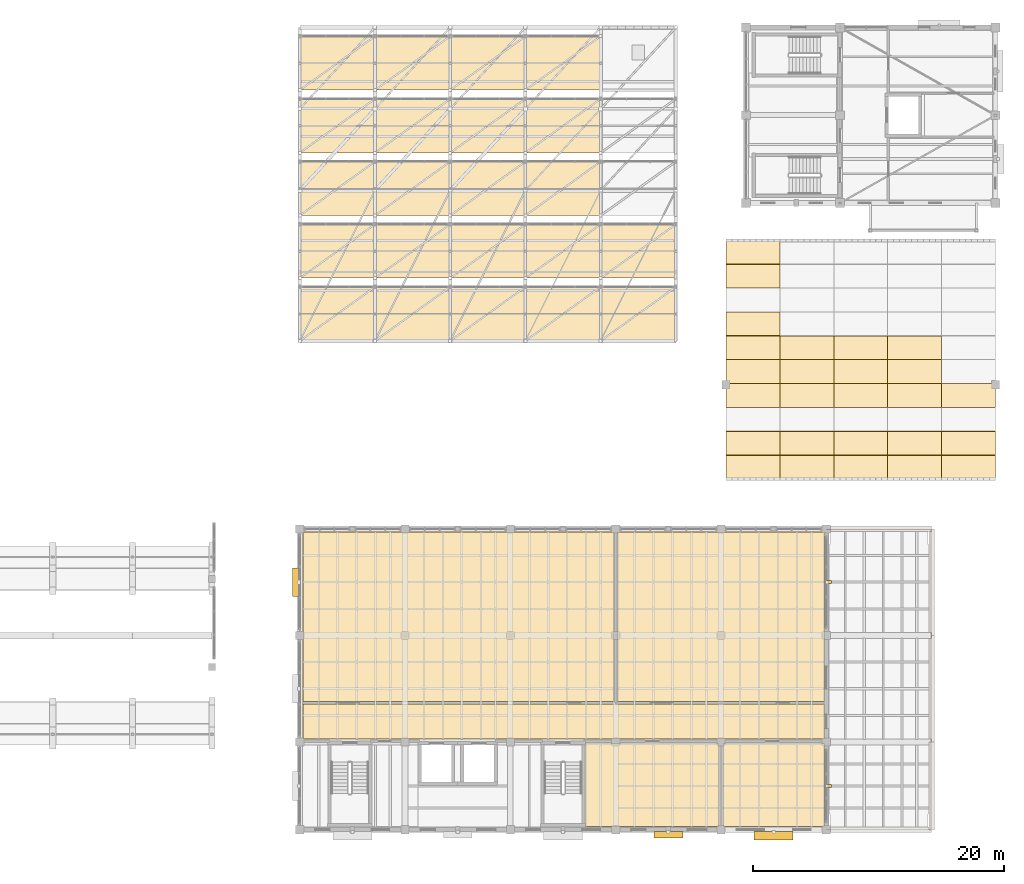
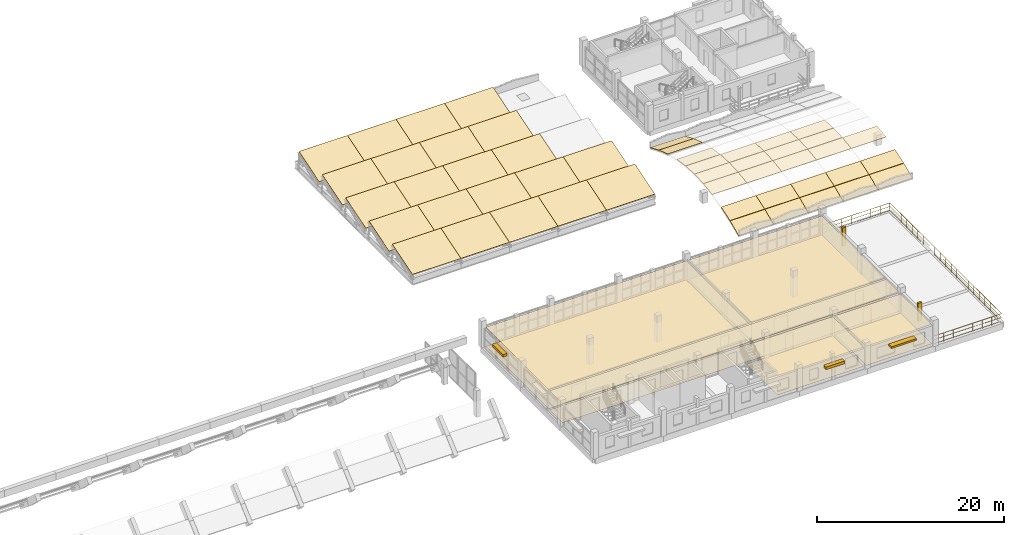
# One storey, part 46 of 48: 58 coverings, 5 shading devices, 1 railing.
"""IFC4 building model written with IfcOpenShell, lengths in metres."""

from ifc_helpers import new_model, si_unit, direction, frame, origin, origin_2d, place, context, subcontext, project, spatial, polyline, rectangle, circle, outline, extrude, material, layer, layer_set, type_object, element, save


model = new_model("IFC4")

# Units and contexts
model_context = context("Model", 3, precision=1e-05, world=origin(), true_north=direction((0.0, 1.0)))
body_context = subcontext(model_context, "Body", "Model", "MODEL_VIEW")
ifc_project = project(units=[si_unit("LENGTHUNIT", "METRE"), si_unit("AREAUNIT", "SQUARE_METRE"), si_unit("VOLUMEUNIT", "CUBIC_METRE"), si_unit("PLANEANGLEUNIT", "RADIAN"), si_unit("MASSUNIT", "GRAM", prefix="KILO")], contexts=[model_context])

# Site, building, storey
site_placement = place(None, origin())
site = spatial("IfcSite", under=ifc_project, at=site_placement, CompositionType="ELEMENT")
building_placement = place(site_placement, origin())
building = spatial("IfcBuilding", under=site, at=building_placement, Name="Trellovar Central Fire Station", CompositionType="ELEMENT")
storey_placement = place(building_placement, frame((0.0, 0.0, 9.300048828125)))
storey = spatial("IfcBuildingStorey", under=building, at=storey_placement, Name="L03", CompositionType="ELEMENT", Elevation=9.300048828125)

# Coverings
ifc_material_1 = material(Name="Perforated acoustic mineral fiber ceiling tile", Category="mineral")
ifc_layer_1 = layer(ifc_material_1, 0.02490234375)
ifc_layer_set_1 = layer_set([ifc_layer_1], Name="Perforated acoustic mineral fiber ceiling tile")
covering_type_1 = type_object("IfcCoveringType", Name="COV-CLG1", PredefinedType="CEILING", material=ifc_layer_set_1)
covering_1_placement = place(storey_placement, frame((0.0, 0.0, 2.47998046875)))
element("IfcCovering", 1, at=covering_1_placement, inside=storey, type_object=covering_type_1, Name="EOC Secure Corridor suspended ceiling", PredefinedType="CEILING", context=body_context, shape_type="SweptSolid", body=[
    extrude(outline(polyline([(147.35009765625, 19.050048828125), (147.35009765625, 16.25), (105.75, 16.25), (105.75, 19.050048828125), (147.35009765625, 19.050048828125)])), origin(), (0.0, 0.0, 1.0), 0.02490234375),
])
covering_2_placement = place(storey_placement, frame((0.0, 0.0, 2.47998046875)))
element("IfcCovering", 2, at=covering_2_placement, inside=storey, type_object=covering_type_1, Name="Emergency Operations Control Room suspended ceiling", PredefinedType="CEILING", context=body_context, shape_type="SweptSolid", body=[
    extrude(outline(polyline([(130.550048828125, 32.75), (130.550048828125, 19.25), (105.75, 19.25), (105.75, 32.75), (130.550048828125, 32.75)])), origin(), (0.0, 0.0, 1.0), 0.02490234375),
])
covering_3_placement = place(storey_placement, frame((0.0, 0.0, 2.47998046875)))
element("IfcCovering", 3, at=covering_3_placement, inside=storey, type_object=covering_type_1, Name="911 CAD Dispatch Operations Floor suspended ceiling", PredefinedType="CEILING", context=body_context, shape_type="SweptSolid", body=[
    extrude(outline(polyline([(147.35009765625, 32.75), (147.35009765625, 19.25), (130.85009765625, 19.25), (130.85009765625, 32.75), (147.35009765625, 32.75)])), origin(), (0.0, 0.0, 1.0), 0.02490234375),
])
covering_4_placement = place(storey_placement, frame((0.0, 0.0, 2.47998046875)))
element("IfcCovering", 4, at=covering_4_placement, inside=storey, type_object=covering_type_1, Name="Incident Policy Situation Room suspended ceiling", PredefinedType="CEILING", context=body_context, shape_type="SweptSolid", body=[
    extrude(outline(polyline([(138.949951171875, 15.89990234375), (138.949951171875, 9.25), (128.25, 9.25), (128.25, 15.89990234375), (138.949951171875, 15.89990234375)])), origin(), (0.0, 0.0, 1.0), 0.02490234375),
])
ifc_material_2 = material(Name="Moisture-resistant gypsum ceiling board", Category="gypsum")
ifc_layer_2 = layer(ifc_material_2, 0.030029296875)
ifc_layer_set_2 = layer_set([ifc_layer_2], Name="Moisture-resistant gypsum ceiling board")
covering_type_2 = type_object("IfcCoveringType", Name="COV-CLG2", PredefinedType="CEILING", material=ifc_layer_set_2)
covering_5_placement = place(storey_placement, frame((0.0, 0.0, 2.47998046875)))
element("IfcCovering", 5, at=covering_5_placement, inside=storey, type_object=covering_type_2, Name="Dispatch Break Pantry and Restroom suspended ceiling", PredefinedType="CEILING", context=body_context, shape_type="SweptSolid", body=[
    extrude(outline(polyline([(147.35009765625, 15.89990234375), (147.35009765625, 9.25), (139.25, 9.25), (139.25, 15.89990234375), (147.35009765625, 15.89990234375)])), origin(), (0.0, 0.0, 1.0), 0.030029296875),
])
ifc_material_3 = material(Name="Vitrified Catalan ceramic floor tile", Category="masonry")
ifc_layer_3 = layer(ifc_material_3, 0.01806640625)
ifc_layer_set_3 = layer_set([ifc_layer_3], Name="Vitrified Catalan ceramic floor tile")
covering_type_3 = type_object("IfcCoveringType", Name="COV-FLR2", PredefinedType="FLOORING", material=ifc_layer_set_3)
covering_6_placement = place(storey_placement, origin())
element("IfcCovering", 6, at=covering_6_placement, inside=storey, type_object=covering_type_3, Name="EOC Secure Corridor floor finish", PredefinedType="FLOORING", context=body_context, shape_type="SweptSolid", body=[
    extrude(outline(polyline([(147.35009765625, 19.050048828125), (147.35009765625, 16.25), (105.75, 16.25), (105.75, 19.050048828125), (147.35009765625, 19.050048828125)])), origin(), (0.0, 0.0, 1.0), 0.01806640625),
])
covering_7_placement = place(storey_placement, origin())
element("IfcCovering", 7, at=covering_7_placement, inside=storey, type_object=covering_type_3, Name="Emergency Operations Control Room floor finish", PredefinedType="FLOORING", context=body_context, shape_type="SweptSolid", body=[
    extrude(outline(polyline([(130.550048828125, 32.75), (130.550048828125, 19.25), (105.75, 19.25), (105.75, 32.75), (130.550048828125, 32.75)])), origin(), (0.0, 0.0, 1.0), 0.01806640625),
])
covering_8_placement = place(storey_placement, origin())
element("IfcCovering", 8, at=covering_8_placement, inside=storey, type_object=covering_type_3, Name="911 CAD Dispatch Operations Floor floor finish", PredefinedType="FLOORING", context=body_context, shape_type="SweptSolid", body=[
    extrude(outline(polyline([(147.35009765625, 32.75), (147.35009765625, 19.25), (130.85009765625, 19.25), (130.85009765625, 32.75), (147.35009765625, 32.75)])), origin(), (0.0, 0.0, 1.0), 0.01806640625),
])
covering_9_placement = place(storey_placement, origin())
element("IfcCovering", 9, at=covering_9_placement, inside=storey, type_object=covering_type_3, Name="Incident Policy Situation Room floor finish", PredefinedType="FLOORING", context=body_context, shape_type="SweptSolid", body=[
    extrude(outline(polyline([(138.949951171875, 15.89990234375), (138.949951171875, 9.25), (128.25, 9.25), (128.25, 15.89990234375), (138.949951171875, 15.89990234375)])), origin(), (0.0, 0.0, 1.0), 0.01806640625),
])
covering_10_placement = place(storey_placement, origin())
element("IfcCovering", 10, at=covering_10_placement, inside=storey, type_object=covering_type_3, Name="Dispatch Break Pantry and Restroom floor finish", PredefinedType="FLOORING", context=body_context, shape_type="SweptSolid", body=[
    extrude(outline(polyline([(147.35009765625, 15.89990234375), (147.35009765625, 9.25), (139.25, 9.25), (139.25, 15.89990234375), (147.35009765625, 15.89990234375)])), origin(), (0.0, 0.0, 1.0), 0.01806640625),
])
ifc_material_4 = material(Name="Glazed ceramic trencadis roofing", Category="masonry")
ifc_layer_4 = layer(ifc_material_4, 0.06005859375)
ifc_layer_set_4 = layer_set([ifc_layer_4], Name="Glazed ceramic trencadis roofing")
covering_type_4 = type_object("IfcCoveringType", Name="COV-RF1", PredefinedType="ROOFING", material=ifc_layer_set_4)
covering_11_placement = place(storey_placement, frame((139.5, 37.001953125, 0.060791015625), z_axis=(0.0, -0.399539052754, 0.916716174901), x_axis=(1.0, 0.0, 0.0)))
element("IfcCovering", 11, at=covering_11_placement, inside=storey, type_object=covering_type_4, Name="V3 trencadis barrel vault covering 01-01", PredefinedType="ROOFING", context=body_context, shape_type="SweptSolid", body=[
    extrude(outline(polyline([(0.0, 0.0), (4.300048828125, 0.0), (4.300048828125, 2.0421482283793635), (0.0, 2.0421482283793635), (0.0, 0.0)])), origin(), (0.0, 0.0, -1.0), 0.06005859375),
])
covering_12_placement = place(storey_placement, frame((139.5, 38.902099609375, 0.888671875), z_axis=(0.0, -0.320954993528, 0.947094447312), x_axis=(1.0, 0.0, 0.0)))
element("IfcCovering", 12, at=covering_12_placement, inside=storey, type_object=covering_type_4, Name="V3 trencadis barrel vault covering 01-02", PredefinedType="ROOFING", context=body_context, shape_type="SweptSolid", body=[
    extrude(outline(polyline([(0.0, 0.0), (4.300048828125, 0.0), (4.300048828125, 1.9815436461495783), (0.0, 1.9815436461495783), (0.0, 0.0)])), origin(), (0.0, 0.0, -1.0), 0.06005859375),
])
covering_13_placement = place(storey_placement, frame((139.5, 42.701904296875, 1.9921875), z_axis=(0.0, -0.143750672762, 0.989613936887), x_axis=(1.0, 0.0, 0.0)))
element("IfcCovering", 13, at=covering_13_placement, inside=storey, type_object=covering_type_4, Name="V3 trencadis barrel vault covering 01-04", PredefinedType="ROOFING", context=body_context, shape_type="SweptSolid", body=[
    extrude(outline(polyline([(0.0, 0.0), (4.300048828125, 0.0), (4.300048828125, 1.907260095601346), (0.0, 1.907260095601346), (0.0, 0.0)])), origin(), (0.0, 0.0, -1.0), 0.06005859375),
])
for number, where, z_axis, x_axis, name in (
    (14, (139.5, 44.60205078125, 2.26806640625), (0.0, -0.04843419104, 0.998826375872), (1.0, 0.0, 0.0), "V3 trencadis barrel vault covering 01-05"),
    (15, (139.5, 46.5048828125, 2.35986328125), (0.0, 0.04843419104, 0.998826375872), (1.0, 0.0, 0.0), "V3 trencadis barrel vault covering 01-06"),
):
    element("IfcCovering", number, at=place(storey_placement, frame(where, z_axis=z_axis, x_axis=x_axis)), inside=storey, type_object=covering_type_4, Name=name, PredefinedType="ROOFING", context=body_context, shape_type="SweptSolid", body=[
        extrude(outline(polyline([(0.0, 0.0), (4.300048828125, 0.0), (4.300048828125, 1.8952907652210136), (0.0, 1.8952907652210136), (0.0, 0.0)])), origin(), (0.0, 0.0, -1.0), 0.06005859375),
    ])
covering_14_placement = place(storey_placement, frame((139.5, 48.41064453125, 2.266357421875), z_axis=(0.0, 0.143750672762, 0.989613936887), x_axis=(1.0, 0.0, 0.0)))
element("IfcCovering", 16, at=covering_14_placement, inside=storey, type_object=covering_type_4, Name="V3 trencadis barrel vault covering 01-07", PredefinedType="ROOFING", context=body_context, shape_type="SweptSolid", body=[
    extrude(outline(polyline([(0.0, 0.0), (4.300048828125, 0.0), (4.300048828125, 1.907260095601346), (0.0, 1.907260095601346), (0.0, 0.0)])), origin(), (0.0, 0.0, -1.0), 0.06005859375),
])
covering_15_placement = place(storey_placement, frame((139.5, 52.22119140625, 1.524658203125), z_axis=(0.0, 0.320954993528, 0.947094447312), x_axis=(1.0, 0.0, 0.0)))
element("IfcCovering", 17, at=covering_15_placement, inside=storey, type_object=covering_type_4, Name="V3 trencadis barrel vault covering 01-09", PredefinedType="ROOFING", context=body_context, shape_type="SweptSolid", body=[
    extrude(outline(polyline([(0.0, 0.0), (4.300048828125, 0.0), (4.300048828125, 1.9815436461495783), (0.0, 1.9815436461495783), (0.0, 0.0)])), origin(), (0.0, 0.0, -1.0), 0.06005859375),
])
for number, where, z_axis, x_axis, name in (
    (18, (139.5, 54.1259765625, 0.876708984375), (0.0, 0.399539052754, 0.916716174901), (1.0, 0.0, 0.0), "V3 trencadis barrel vault covering 01-10"),
    (19, (143.800048828125, 37.001953125, 0.060791015625), (0.0, -0.399539052754, 0.916716174901), (1.0, 0.0, 0.0), "V3 trencadis barrel vault covering 02-01"),
):
    element("IfcCovering", number, at=place(storey_placement, frame(where, z_axis=z_axis, x_axis=x_axis)), inside=storey, type_object=covering_type_4, Name=name, PredefinedType="ROOFING", context=body_context, shape_type="SweptSolid", body=[
        extrude(outline(polyline([(0.0, 0.0), (4.300048828125, 0.0), (4.300048828125, 2.0421482283793635), (0.0, 2.0421482283793635), (0.0, 0.0)])), origin(), (0.0, 0.0, -1.0), 0.06005859375),
    ])
covering_16_placement = place(storey_placement, frame((143.800048828125, 38.902099609375, 0.888671875), z_axis=(0.0, -0.320954993528, 0.947094447312), x_axis=(1.0, 0.0, 0.0)))
element("IfcCovering", 20, at=covering_16_placement, inside=storey, type_object=covering_type_4, Name="V3 trencadis barrel vault covering 02-02", PredefinedType="ROOFING", context=body_context, shape_type="SweptSolid", body=[
    extrude(outline(polyline([(0.0, 0.0), (4.300048828125, 0.0), (4.300048828125, 1.9815436461495783), (0.0, 1.9815436461495783), (0.0, 0.0)])), origin(), (0.0, 0.0, -1.0), 0.06005859375),
])
covering_17_placement = place(storey_placement, frame((143.800048828125, 42.701904296875, 1.9921875), z_axis=(0.0, -0.143750672762, 0.989613936887), x_axis=(1.0, 0.0, 0.0)))
element("IfcCovering", 21, at=covering_17_placement, inside=storey, type_object=covering_type_4, Name="V3 trencadis barrel vault covering 02-04", PredefinedType="ROOFING", context=body_context, shape_type="SweptSolid", body=[
    extrude(outline(polyline([(0.0, 0.0), (4.300048828125, 0.0), (4.300048828125, 1.907260095601346), (0.0, 1.907260095601346), (0.0, 0.0)])), origin(), (0.0, 0.0, -1.0), 0.06005859375),
])
for number, where, z_axis, x_axis, name in (
    (22, (143.800048828125, 44.60205078125, 2.26806640625), (0.0, -0.04843419104, 0.998826375872), (1.0, 0.0, 0.0), "V3 trencadis barrel vault covering 02-05"),
    (23, (143.800048828125, 46.5048828125, 2.35986328125), (0.0, 0.04843419104, 0.998826375872), (1.0, 0.0, 0.0), "V3 trencadis barrel vault covering 02-06"),
):
    element("IfcCovering", number, at=place(storey_placement, frame(where, z_axis=z_axis, x_axis=x_axis)), inside=storey, type_object=covering_type_4, Name=name, PredefinedType="ROOFING", context=body_context, shape_type="SweptSolid", body=[
        extrude(outline(polyline([(0.0, 0.0), (4.300048828125, 0.0), (4.300048828125, 1.8952907652210136), (0.0, 1.8952907652210136), (0.0, 0.0)])), origin(), (0.0, 0.0, -1.0), 0.06005859375),
    ])
covering_18_placement = place(storey_placement, frame((148.10009765625, 37.001953125, 0.060791015625), z_axis=(0.0, -0.399539052754, 0.916716174901), x_axis=(1.0, 0.0, 0.0)))
element("IfcCovering", 24, at=covering_18_placement, inside=storey, type_object=covering_type_4, Name="V3 trencadis barrel vault covering 03-01", PredefinedType="ROOFING", context=body_context, shape_type="SweptSolid", body=[
    extrude(outline(polyline([(0.0, 0.0), (4.2998046875, 0.0), (4.2998046875, 2.0421482283793635), (0.0, 2.0421482283793635), (0.0, 0.0)])), origin(), (0.0, 0.0, -1.0), 0.06005859375),
])
covering_19_placement = place(storey_placement, frame((148.10009765625, 38.902099609375, 0.888671875), z_axis=(0.0, -0.320954993528, 0.947094447312), x_axis=(1.0, 0.0, 0.0)))
element("IfcCovering", 25, at=covering_19_placement, inside=storey, type_object=covering_type_4, Name="V3 trencadis barrel vault covering 03-02", PredefinedType="ROOFING", context=body_context, shape_type="SweptSolid", body=[
    extrude(outline(polyline([(0.0, 0.0), (4.2998046875, 0.0), (4.2998046875, 1.981543646149578), (0.0, 1.981543646149578), (0.0, 0.0)])), origin(), (0.0, 0.0, -1.0), 0.06005859375),
])
covering_20_placement = place(storey_placement, frame((148.10009765625, 42.701904296875, 1.9921875), z_axis=(0.0, -0.143750672762, 0.989613936887), x_axis=(1.0, 0.0, 0.0)))
element("IfcCovering", 26, at=covering_20_placement, inside=storey, type_object=covering_type_4, Name="V3 trencadis barrel vault covering 03-04", PredefinedType="ROOFING", context=body_context, shape_type="SweptSolid", body=[
    extrude(outline(polyline([(0.0, 0.0), (4.2998046875, 0.0), (4.2998046875, 1.907260095601346), (0.0, 1.907260095601346), (0.0, 0.0)])), origin(), (0.0, 0.0, -1.0), 0.06005859375),
])
for number, where, z_axis, x_axis, name in (
    (27, (148.10009765625, 44.60205078125, 2.26806640625), (0.0, -0.04843419104, 0.998826375872), (1.0, 0.0, 0.0), "V3 trencadis barrel vault covering 03-05"),
    (28, (148.10009765625, 46.5048828125, 2.35986328125), (0.0, 0.04843419104, 0.998826375872), (1.0, 0.0, 0.0), "V3 trencadis barrel vault covering 03-06"),
):
    element("IfcCovering", number, at=place(storey_placement, frame(where, z_axis=z_axis, x_axis=x_axis)), inside=storey, type_object=covering_type_4, Name=name, PredefinedType="ROOFING", context=body_context, shape_type="SweptSolid", body=[
        extrude(outline(polyline([(0.0, 0.0), (4.2998046875, 0.0), (4.2998046875, 1.8952907652210134), (0.0, 1.8952907652210134), (0.0, 0.0)])), origin(), (0.0, 0.0, -1.0), 0.06005859375),
    ])
covering_21_placement = place(storey_placement, frame((152.39990234375, 37.001953125, 0.060791015625), z_axis=(0.0, -0.399539052754, 0.916716174901), x_axis=(1.0, 0.0, 0.0)))
element("IfcCovering", 29, at=covering_21_placement, inside=storey, type_object=covering_type_4, Name="V3 trencadis barrel vault covering 04-01", PredefinedType="ROOFING", context=body_context, shape_type="SweptSolid", body=[
    extrude(outline(polyline([(0.0, 0.0), (4.300048828125, 0.0), (4.300048828125, 2.0421482283793635), (0.0, 2.0421482283793635), (0.0, 0.0)])), origin(), (0.0, 0.0, -1.0), 0.06005859375),
])
covering_22_placement = place(storey_placement, frame((152.39990234375, 38.902099609375, 0.888671875), z_axis=(0.0, -0.320954993528, 0.947094447312), x_axis=(1.0, 0.0, 0.0)))
element("IfcCovering", 30, at=covering_22_placement, inside=storey, type_object=covering_type_4, Name="V3 trencadis barrel vault covering 04-02", PredefinedType="ROOFING", context=body_context, shape_type="SweptSolid", body=[
    extrude(outline(polyline([(0.0, 0.0), (4.300048828125, 0.0), (4.300048828125, 1.9815436461495783), (0.0, 1.9815436461495783), (0.0, 0.0)])), origin(), (0.0, 0.0, -1.0), 0.06005859375),
])
covering_23_placement = place(storey_placement, frame((152.39990234375, 42.701904296875, 1.9921875), z_axis=(0.0, -0.143750672762, 0.989613936887), x_axis=(1.0, 0.0, 0.0)))
element("IfcCovering", 31, at=covering_23_placement, inside=storey, type_object=covering_type_4, Name="V3 trencadis barrel vault covering 04-04", PredefinedType="ROOFING", context=body_context, shape_type="SweptSolid", body=[
    extrude(outline(polyline([(0.0, 0.0), (4.300048828125, 0.0), (4.300048828125, 1.907260095601346), (0.0, 1.907260095601346), (0.0, 0.0)])), origin(), (0.0, 0.0, -1.0), 0.06005859375),
])
for number, where, z_axis, x_axis, name in (
    (32, (152.39990234375, 44.60205078125, 2.26806640625), (0.0, -0.04843419104, 0.998826375872), (1.0, 0.0, 0.0), "V3 trencadis barrel vault covering 04-05"),
    (33, (152.39990234375, 46.5048828125, 2.35986328125), (0.0, 0.04843419104, 0.998826375872), (1.0, 0.0, 0.0), "V3 trencadis barrel vault covering 04-06"),
):
    element("IfcCovering", number, at=place(storey_placement, frame(where, z_axis=z_axis, x_axis=x_axis)), inside=storey, type_object=covering_type_4, Name=name, PredefinedType="ROOFING", context=body_context, shape_type="SweptSolid", body=[
        extrude(outline(polyline([(0.0, 0.0), (4.300048828125, 0.0), (4.300048828125, 1.8952907652210136), (0.0, 1.8952907652210136), (0.0, 0.0)])), origin(), (0.0, 0.0, -1.0), 0.06005859375),
    ])
covering_24_placement = place(storey_placement, frame((156.699951171875, 37.001953125, 0.060791015625), z_axis=(0.0, -0.399539052754, 0.916716174901), x_axis=(1.0, 0.0, 0.0)))
element("IfcCovering", 34, at=covering_24_placement, inside=storey, type_object=covering_type_4, Name="V3 trencadis barrel vault covering 05-01", PredefinedType="ROOFING", context=body_context, shape_type="SweptSolid", body=[
    extrude(outline(polyline([(0.0, 0.0), (4.300048828125, 0.0), (4.300048828125, 2.0421482283793635), (0.0, 2.0421482283793635), (0.0, 0.0)])), origin(), (0.0, 0.0, -1.0), 0.06005859375),
])
covering_25_placement = place(storey_placement, frame((156.699951171875, 38.902099609375, 0.888671875), z_axis=(0.0, -0.320954993528, 0.947094447312), x_axis=(1.0, 0.0, 0.0)))
element("IfcCovering", 35, at=covering_25_placement, inside=storey, type_object=covering_type_4, Name="V3 trencadis barrel vault covering 05-02", PredefinedType="ROOFING", context=body_context, shape_type="SweptSolid", body=[
    extrude(outline(polyline([(0.0, 0.0), (4.300048828125, 0.0), (4.300048828125, 1.9815436461495783), (0.0, 1.9815436461495783), (0.0, 0.0)])), origin(), (0.0, 0.0, -1.0), 0.06005859375),
])
covering_26_placement = place(storey_placement, frame((156.699951171875, 42.701904296875, 1.9921875), z_axis=(0.0, -0.143750672762, 0.989613936887), x_axis=(1.0, 0.0, 0.0)))
element("IfcCovering", 36, at=covering_26_placement, inside=storey, type_object=covering_type_4, Name="V3 trencadis barrel vault covering 05-04", PredefinedType="ROOFING", context=body_context, shape_type="SweptSolid", body=[
    extrude(outline(polyline([(0.0, 0.0), (4.300048828125, 0.0), (4.300048828125, 1.907260095601346), (0.0, 1.907260095601346), (0.0, 0.0)])), origin(), (0.0, 0.0, -1.0), 0.06005859375),
])
ifc_material_5 = material(Name="High-albedo cool terracotta roof tile", Category="masonry")
ifc_layer_5 = layer(ifc_material_5, 0.050048828125)
ifc_layer_set_5 = layer_set([ifc_layer_5], Name="High-albedo cool terracotta roof tile")
covering_type_5 = type_object("IfcCoveringType", Name="COV-RF2", PredefinedType="ROOFING", material=ifc_layer_set_5)
for number, where, z_axis, x_axis, name in (
    (37, (105.5, 48.0, 0.22998046875), (0.0, -0.29950542383, 0.954094597562), (1.0, 0.0, 0.0), "V6 sawtooth cool terracotta covering 1-105"),
    (38, (111.5, 48.0, 0.22998046875), (0.0, -0.29950542383, 0.954094597562), (1.0, 0.0, 0.0), "V6 sawtooth cool terracotta covering 1-111"),
    (39, (117.5, 48.0, 0.22998046875), (0.0, -0.29950542383, 0.954094597562), (1.0, 0.0, 0.0), "V6 sawtooth cool terracotta covering 1-117"),
    (40, (123.5, 48.0, 0.22998046875), (0.0, -0.29950542383, 0.954094597562), (1.0, 0.0, 0.0), "V6 sawtooth cool terracotta covering 1-123"),
    (41, (129.5, 48.0, 0.22998046875), (0.0, -0.29950542383, 0.954094597562), (1.0, 0.0, 0.0), "V6 sawtooth cool terracotta covering 1-129"),
    (42, (105.5, 53.0, 0.22998046875), (0.0, -0.29950542383, 0.954094597562), (1.0, 0.0, 0.0), "V6 sawtooth cool terracotta covering 2-105"),
    (43, (111.5, 53.0, 0.22998046875), (0.0, -0.29950542383, 0.954094597562), (1.0, 0.0, 0.0), "V6 sawtooth cool terracotta covering 2-111"),
    (44, (117.5, 53.0, 0.22998046875), (0.0, -0.29950542383, 0.954094597562), (1.0, 0.0, 0.0), "V6 sawtooth cool terracotta covering 2-117"),
    (45, (123.5, 53.0, 0.22998046875), (0.0, -0.29950542383, 0.954094597562), (1.0, 0.0, 0.0), "V6 sawtooth cool terracotta covering 2-123"),
    (46, (129.5, 53.0, 0.22998046875), (0.0, -0.29950542383, 0.954094597562), (1.0, 0.0, 0.0), "V6 sawtooth cool terracotta covering 2-129"),
    (47, (105.5, 58.0, 0.22998046875), (0.0, -0.29950542383, 0.954094597562), (1.0, 0.0, 0.0), "V6 sawtooth cool terracotta covering 3-105"),
    (48, (111.5, 58.0, 0.22998046875), (0.0, -0.29950542383, 0.954094597562), (1.0, 0.0, 0.0), "V6 sawtooth cool terracotta covering 3-111"),
    (49, (117.5, 58.0, 0.22998046875), (0.0, -0.29950542383, 0.954094597562), (1.0, 0.0, 0.0), "V6 sawtooth cool terracotta covering 3-117"),
    (50, (123.5, 58.0, 0.22998046875), (0.0, -0.29950542383, 0.954094597562), (1.0, 0.0, 0.0), "V6 sawtooth cool terracotta covering 3-123"),
    (51, (105.5, 63.0, 0.22998046875), (0.0, -0.29950542383, 0.954094597562), (1.0, 0.0, 0.0), "V6 sawtooth cool terracotta covering 4-105"),
    (52, (111.5, 63.0, 0.22998046875), (0.0, -0.29950542383, 0.954094597562), (1.0, 0.0, 0.0), "V6 sawtooth cool terracotta covering 4-111"),
    (53, (117.5, 63.0, 0.22998046875), (0.0, -0.29950542383, 0.954094597562), (1.0, 0.0, 0.0), "V6 sawtooth cool terracotta covering 4-117"),
    (54, (123.5, 63.0, 0.22998046875), (0.0, -0.29950542383, 0.954094597562), (1.0, 0.0, 0.0), "V6 sawtooth cool terracotta covering 4-123"),
    (55, (105.5, 68.0, 0.22998046875), (0.0, -0.29950542383, 0.954094597562), (1.0, 0.0, 0.0), "V6 sawtooth cool terracotta covering 5-105"),
    (56, (111.5, 68.0, 0.22998046875), (0.0, -0.29950542383, 0.954094597562), (1.0, 0.0, 0.0), "V6 sawtooth cool terracotta covering 5-111"),
    (57, (117.5, 68.0, 0.22998046875), (0.0, -0.29950542383, 0.954094597562), (1.0, 0.0, 0.0), "V6 sawtooth cool terracotta covering 5-117"),
    (58, (123.5, 68.0, 0.22998046875), (0.0, -0.29950542383, 0.954094597562), (1.0, 0.0, 0.0), "V6 sawtooth cool terracotta covering 5-123"),
):
    element("IfcCovering", number, at=place(storey_placement, frame(where, z_axis=z_axis, x_axis=x_axis)), inside=storey, type_object=covering_type_5, Name=name, PredefinedType="ROOFING", context=body_context, shape_type="SweptSolid", body=[
        extrude(outline(polyline([(0.0, 0.0), (6.0, 0.0), (6.0, 4.506941805471239), (0.0, 4.506941805471239), (0.0, 0.0)])), origin(), (0.0, 0.0, -1.0), 0.050048828125),
    ])

# Railing
ifc_material_6 = material(Name="Patina bronze wrought metalwork", Category="metal")
ifc_layer_6 = layer(ifc_material_6, 0.06005859375)
ifc_layer_set_6 = layer_set([ifc_layer_6], Name="Patina bronze wrought metalwork")
railing_type = type_object("IfcRailingType", Name="RL-GUARD1", PredefinedType="GUARDRAIL", material=ifc_layer_set_6)
railing_placement = place(storey_placement, frame((147.5, 9.050048828125, 0.0)))
element("IfcRailing", 59, at=railing_placement, inside=storey, type_object=railing_type, Name="V5 L03 east terrace guardrail", PredefinedType="GUARDRAIL", context=body_context, shape_type="SweptSolid", body=[
    extrude(circle(Radius=0.02392578125, at=origin_2d()), frame((0.0, 0.0, 1.09619140625), z_axis=(1.0, 0.0, 0.0), x_axis=(0.0, 1.0, 0.0)), (0.0, 0.0, 1.0), 8.35009765625),
    extrude(circle(Radius=0.015625, at=origin_2d()), frame((0.0, 0.0, 0.10009765625), z_axis=(1.0, 0.0, 0.0), x_axis=(0.0, 1.0, 0.0)), (0.0, 0.0, 1.0), 8.35009765625),
    extrude(circle(Radius=0.015625, at=origin_2d()), frame((0.0, 0.0, 0.615966796875), z_axis=(1.0, 0.0, 0.0), x_axis=(0.0, 1.0, 0.0)), (0.0, 0.0, 1.0), 8.35009765625),
    extrude(circle(Radius=0.02392578125, at=origin_2d()), frame((8.35009765625, 0.0, 1.09619140625), z_axis=(0.0, 1.0, 0.0), x_axis=(-1.0, 0.0, 0.0)), (0.0, 0.0, 1.0), 23.89990234375),
    extrude(circle(Radius=0.015625, at=origin_2d()), frame((8.35009765625, 0.0, 0.10009765625), z_axis=(0.0, 1.0, 0.0), x_axis=(-1.0, 0.0, 0.0)), (0.0, 0.0, 1.0), 23.89990234375),
    extrude(circle(Radius=0.015625, at=origin_2d()), frame((8.35009765625, 0.0, 0.615966796875), z_axis=(0.0, 1.0, 0.0), x_axis=(-1.0, 0.0, 0.0)), (0.0, 0.0, 1.0), 23.89990234375),
    extrude(circle(Radius=0.02392578125, at=origin_2d()), frame((8.35009765625, 23.89990234375, 1.09619140625), z_axis=(-1.0, 0.0, 0.0), x_axis=(0.0, -1.0, 0.0)), (0.0, 0.0, 1.0), 8.35009765625),
    extrude(circle(Radius=0.015625, at=origin_2d()), frame((8.35009765625, 23.89990234375, 0.10009765625), z_axis=(-1.0, 0.0, 0.0), x_axis=(0.0, -1.0, 0.0)), (0.0, 0.0, 1.0), 8.35009765625),
    extrude(circle(Radius=0.015625, at=origin_2d()), frame((8.35009765625, 23.89990234375, 0.615966796875), z_axis=(-1.0, 0.0, 0.0), x_axis=(0.0, -1.0, 0.0)), (0.0, 0.0, 1.0), 8.35009765625),
    extrude(circle(Radius=0.02099609375, at=origin_2d()), origin(), (0.0, 0.0, 1.0), 1.072021484375),
    extrude(circle(Radius=0.02099609375, at=origin_2d()), frame((1.19287109375, 0.0, 0.0)), (0.0, 0.0, 1.0), 1.072021484375),
    extrude(circle(Radius=0.02099609375, at=origin_2d()), frame((2.3857421875, 0.0, 0.0)), (0.0, 0.0, 1.0), 1.072021484375),
    extrude(circle(Radius=0.02099609375, at=origin_2d()), frame((3.57861328125, 0.0, 0.0)), (0.0, 0.0, 1.0), 1.072021484375),
    extrude(circle(Radius=0.02099609375, at=origin_2d()), frame((4.771484375, 0.0, 0.0)), (0.0, 0.0, 1.0), 1.072021484375),
    extrude(circle(Radius=0.02099609375, at=origin_2d()), frame((5.96435546875, 0.0, 0.0)), (0.0, 0.0, 1.0), 1.072021484375),
    extrude(circle(Radius=0.02099609375, at=origin_2d()), frame((7.1572265625, 0.0, 0.0)), (0.0, 0.0, 1.0), 1.072021484375),
    extrude(circle(Radius=0.02099609375, at=origin_2d()), frame((8.35009765625, 0.0, 0.0)), (0.0, 0.0, 1.0), 1.072021484375),
    extrude(circle(Radius=0.02099609375, at=origin_2d()), frame((8.35009765625, 1.195068359375, 0.0)), (0.0, 0.0, 1.0), 1.072021484375),
    extrude(circle(Radius=0.02099609375, at=origin_2d()), frame((8.35009765625, 2.389892578125, 0.0)), (0.0, 0.0, 1.0), 1.072021484375),
    extrude(circle(Radius=0.02099609375, at=origin_2d()), frame((8.35009765625, 3.5849609375, 0.0)), (0.0, 0.0, 1.0), 1.072021484375),
    extrude(circle(Radius=0.02099609375, at=origin_2d()), frame((8.35009765625, 4.780029296875, 0.0)), (0.0, 0.0, 1.0), 1.072021484375),
    extrude(circle(Radius=0.02099609375, at=origin_2d()), frame((8.35009765625, 5.97509765625, 0.0)), (0.0, 0.0, 1.0), 1.072021484375),
    extrude(circle(Radius=0.02099609375, at=origin_2d()), frame((8.35009765625, 7.169921875, 0.0)), (0.0, 0.0, 1.0), 1.072021484375),
    extrude(circle(Radius=0.02099609375, at=origin_2d()), frame((8.35009765625, 8.364990234375, 0.0)), (0.0, 0.0, 1.0), 1.072021484375),
    extrude(circle(Radius=0.02099609375, at=origin_2d()), frame((8.35009765625, 9.56005859375, 0.0)), (0.0, 0.0, 1.0), 1.072021484375),
    extrude(circle(Radius=0.02099609375, at=origin_2d()), frame((8.35009765625, 10.7548828125, 0.0)), (0.0, 0.0, 1.0), 1.072021484375),
    extrude(circle(Radius=0.02099609375, at=origin_2d()), frame((8.35009765625, 11.949951171875, 0.0)), (0.0, 0.0, 1.0), 1.072021484375),
    extrude(circle(Radius=0.02099609375, at=origin_2d()), frame((8.35009765625, 13.14501953125, 0.0)), (0.0, 0.0, 1.0), 1.072021484375),
    extrude(circle(Radius=0.02099609375, at=origin_2d()), frame((8.35009765625, 14.33984375, 0.0)), (0.0, 0.0, 1.0), 1.072021484375),
    extrude(circle(Radius=0.02099609375, at=origin_2d()), frame((8.35009765625, 15.534912109375, 0.0)), (0.0, 0.0, 1.0), 1.072021484375),
    extrude(circle(Radius=0.02099609375, at=origin_2d()), frame((8.35009765625, 16.72998046875, 0.0)), (0.0, 0.0, 1.0), 1.072021484375),
    extrude(circle(Radius=0.02099609375, at=origin_2d()), frame((8.35009765625, 17.9248046875, 0.0)), (0.0, 0.0, 1.0), 1.072021484375),
    extrude(circle(Radius=0.02099609375, at=origin_2d()), frame((8.35009765625, 19.119873046875, 0.0)), (0.0, 0.0, 1.0), 1.072021484375),
    extrude(circle(Radius=0.02099609375, at=origin_2d()), frame((8.35009765625, 20.31494140625, 0.0)), (0.0, 0.0, 1.0), 1.072021484375),
    extrude(circle(Radius=0.02099609375, at=origin_2d()), frame((8.35009765625, 21.510009765625, 0.0)), (0.0, 0.0, 1.0), 1.072021484375),
    extrude(circle(Radius=0.02099609375, at=origin_2d()), frame((8.35009765625, 22.704833984375, 0.0)), (0.0, 0.0, 1.0), 1.072021484375),
    extrude(circle(Radius=0.02099609375, at=origin_2d()), frame((8.35009765625, 23.89990234375, 0.0)), (0.0, 0.0, 1.0), 1.072021484375),
    extrude(circle(Radius=0.02099609375, at=origin_2d()), frame((7.1572265625, 23.89990234375, 0.0)), (0.0, 0.0, 1.0), 1.072021484375),
    extrude(circle(Radius=0.02099609375, at=origin_2d()), frame((5.96435546875, 23.89990234375, 0.0)), (0.0, 0.0, 1.0), 1.072021484375),
    extrude(circle(Radius=0.02099609375, at=origin_2d()), frame((4.771484375, 23.89990234375, 0.0)), (0.0, 0.0, 1.0), 1.072021484375),
    extrude(circle(Radius=0.02099609375, at=origin_2d()), frame((3.57861328125, 23.89990234375, 0.0)), (0.0, 0.0, 1.0), 1.072021484375),
    extrude(circle(Radius=0.02099609375, at=origin_2d()), frame((2.3857421875, 23.89990234375, 0.0)), (0.0, 0.0, 1.0), 1.072021484375),
    extrude(circle(Radius=0.02099609375, at=origin_2d()), frame((1.19287109375, 23.89990234375, 0.0)), (0.0, 0.0, 1.0), 1.072021484375),
    extrude(circle(Radius=0.02099609375, at=origin_2d()), frame((0.0, 23.89990234375, 0.0)), (0.0, 0.0, 1.0), 1.072021484375),
])

# Shading devices
ifc_material_7 = material(Name="Glazed ceramic trencadis and terracotta panel", Category="masonry")
shading_device_type_1 = type_object("IfcShadingDeviceType", Name="SHD-LV1", PredefinedType="JALOUSIE", material=ifc_material_7)
for number, where, z_axis, x_axis, name in (
    (60, (134.89990234375, 8.594970703125, 1.9296875), (0.0, 0.0, 1.0), (1.0, 0.0, 0.0), "L03 Catalan solar brise-soleil LV-1"),
    (61, (105.18505859375, 28.75, 1.97998046875), (0.0, 0.0, 1.0), (0.0, 1.0, 0.0), "L03 Catalan solar brise-soleil LV-1"),
):
    element("IfcShadingDevice", number, at=place(storey_placement, frame(where, z_axis=z_axis, x_axis=x_axis)), inside=storey, type_object=shading_device_type_1, Name=name, PredefinedType="JALOUSIE", context=body_context, shape_type="SweptSolid", body=[
        extrude(rectangle(XDim=2.300048828125, YDim=0.5, at=origin_2d()), origin(), (0.0, 0.0, 1.0), 0.340087890625),
    ])
ifc_material_8 = material(Name="Patina bronze wrought metalwork", Category="metal")
shading_device_type_2 = type_object("IfcShadingDeviceType", Name="SHD-LV2", PredefinedType="SHUTTER", material=ifc_material_8)
for number, where, z_axis, x_axis, name in (
    (62, (147.68505859375, 12.5, 0.949951171875), (0.0, 0.0, 1.0), (1.0, 0.0, 0.0), "L03 Catalan solar brise-soleil LV-2"),
    (63, (147.68505859375, 28.75, 0.949951171875), (0.0, 0.0, 1.0), (1.0, 0.0, 0.0), "L03 Catalan solar brise-soleil LV-2"),
):
    element("IfcShadingDevice", number, at=place(storey_placement, frame(where, z_axis=z_axis, x_axis=x_axis)), inside=storey, type_object=shading_device_type_2, Name=name, PredefinedType="SHUTTER", context=body_context, shape_type="SweptSolid", body=[
        extrude(rectangle(XDim=0.449951171875, YDim=0.239990234375, at=origin_2d()), origin(), (0.0, 0.0, 1.0), 2.39990234375),
    ])
ifc_material_9 = material(Name="Patina bronze wrought metalwork", Category="metal")
shading_device_type_3 = type_object("IfcShadingDeviceType", Name="SHD-LV4", PredefinedType="AWNING", material=ifc_material_9)
shading_device_placement = place(storey_placement, frame((143.300048828125, 8.52001953125, 1.98974609375), z_axis=(0.0, 0.0, 1.0), x_axis=(1.0, 0.0, 0.0)))
element("IfcShadingDevice", 64, at=shading_device_placement, inside=storey, type_object=shading_device_type_3, Name="L03 Catalan solar brise-soleil LV-4", PredefinedType="AWNING", context=body_context, shape_type="SweptSolid", body=[
    extrude(rectangle(XDim=3.10009765625, YDim=0.64990234375, at=origin_2d()), origin(), (0.0, 0.0, 1.0), 0.219970703125),
])

save(model, "model.ifc")
